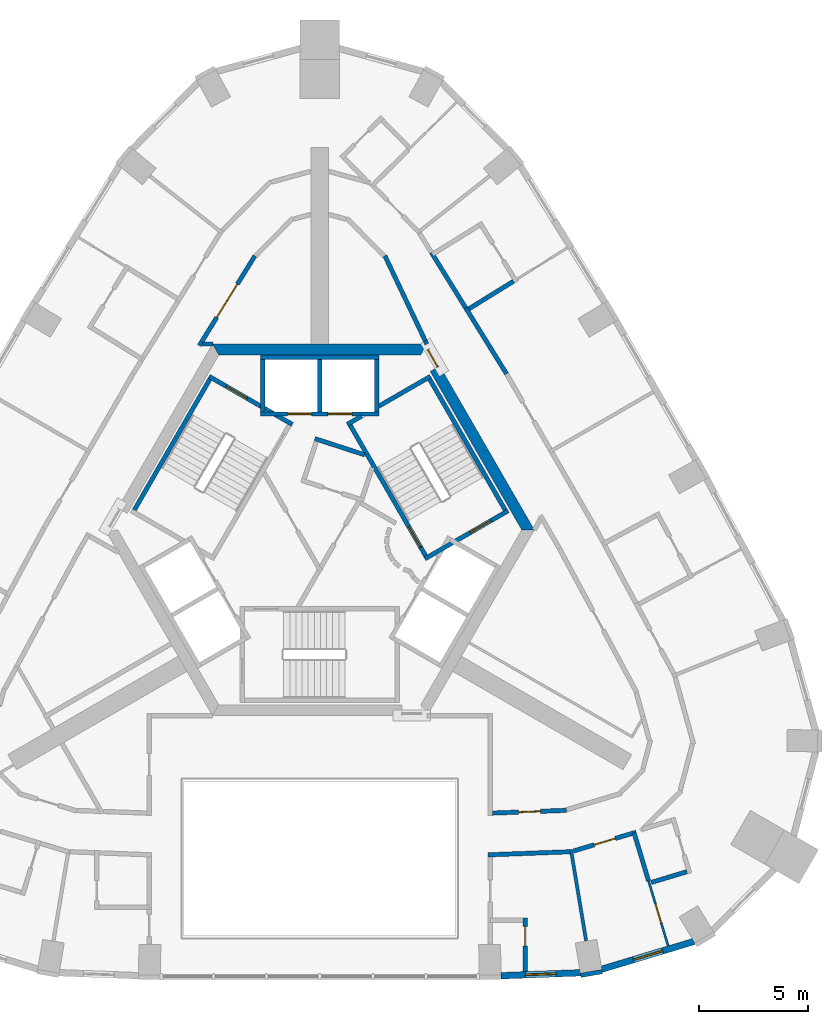
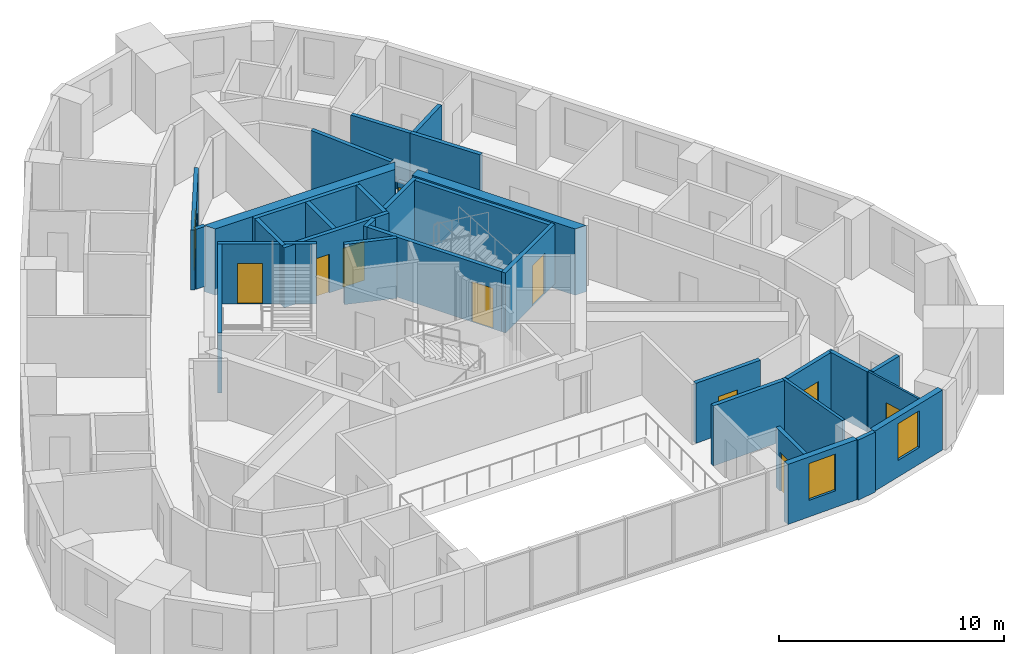
# One storey, part 6 of 10: 34 walls, 11 doors, 2 windows, 13 openings.
"""IFC4 building model written with IfcOpenShell, lengths in metres."""

from ifc_helpers import new_model, si_unit, direction, frame, frame_2d, origin, place, context, subcontext, project, spatial, polyline, rectangle, outline, extrude, material, layer, layer_set, type_object, element, fill, save


model = new_model("IFC4")

# Units and contexts
model_context = context("Model", 3, precision=1e-05, world=origin(), true_north=direction((0.0, 1.0)))
body_context = subcontext(model_context, "Body", "Model", "MODEL_VIEW")
ifc_project = project(units=[si_unit("LENGTHUNIT", "METRE"), si_unit("AREAUNIT", "SQUARE_METRE"), si_unit("VOLUMEUNIT", "CUBIC_METRE"), si_unit("PLANEANGLEUNIT", "RADIAN"), si_unit("MASSUNIT", "GRAM", prefix="KILO")], contexts=[model_context])

# Site, building, storey
site_placement = place(None, origin())
site = spatial("IfcSite", under=ifc_project, at=site_placement, CompositionType="ELEMENT")
building_placement = place(site_placement, origin())
building = spatial("IfcBuilding", under=site, at=building_placement, Name="Entoto Arch Interchange Tower", CompositionType="ELEMENT")
storey_placement = place(building_placement, frame((0.0, 0.0, 300.800048828125)))
storey = spatial("IfcBuildingStorey", under=building, at=storey_placement, Name="L70", CompositionType="ELEMENT", Elevation=300.800048828125)

# Wall, opening, door
ifc_material_1 = material(Name="Reinforced concrete C40/50", Category="concrete")
ifc_layer_1 = layer(ifc_material_1, 0.199951171875)
ifc_layer_set_1 = layer_set([ifc_layer_1], Name="Reinforced concrete C40/50")
wall_type_1 = type_object("IfcWallType", Name="CORE GAP INFILL WALL", PredefinedType="PARTITIONING", material=ifc_layer_set_1)
wall_1_placement = place(storey_placement, frame((5.39892578125, 9.947998046875, 0.0), z_axis=(0.0, 0.0, 1.0), x_axis=(-0.499882215713, 0.866093395895, 0.0)))
wall_1 = element("IfcWall", 1, at=wall_1_placement, inside=storey, type_object=wall_type_1, Name="wall:L70:gap2", PredefinedType="PARTITIONING", context=body_context, shape_type="SweptSolid", body=[
    extrude(rectangle(XDim=0.926025390625, YDim=0.199951171875, at=frame_2d((0.462890625, 0.0))), origin(), (0.0, 0.0, 1.0), 2.39990234375),
])
opening_1_placement = place(wall_1_placement, frame((0.01708984375, 0.0, 0.0)))
opening_1 = element("IfcOpeningElement", 2, at=opening_1_placement, cuts=wall_1, Name="Opening L70-D92", PredefinedType="OPENING", context=body_context, shape_type="SweptSolid", body=[
    extrude(rectangle(XDim=0.89990234375, YDim=2.10009765625, at=frame_2d((0.449951171875, 1.050048828125))), frame((0.0, 0.10986328125, 0.0), z_axis=(0.0, -1.0, 0.0), x_axis=(1.0, 0.0, 0.0)), (0.0, 0.0, 1.0), 0.219970703125),
])
ifc_material_2 = material(Name="Fire-rated Steel S235 door and frame", Category="steel")
door_type_1 = type_object("IfcDoorType", Name="DOOR FD-09 900x2100", OperationType="SINGLE_SWING_LEFT", PredefinedType="DOOR", material=ifc_material_2)
door_1_placement = place(opening_1_placement, origin())
door_1 = element("IfcDoor", 3, at=door_1_placement, inside=storey, type_object=door_type_1, Name="door:L70:gap2", OperationType="SINGLE_SWING_LEFT", OverallHeight=2.10009765625, OverallWidth=0.89990234375, PredefinedType="DOOR", context=body_context, shape_type="SweptSolid", body=[
    extrude(rectangle(XDim=0.89990234375, YDim=2.10009765625, at=frame_2d((0.449951171875, 1.050048828125))), frame((0.0, 0.02490234375, 0.0), z_axis=(0.0, -1.0, 0.0), x_axis=(1.0, 0.0, 0.0)), (0.0, 0.0, 1.0), 0.050048828125),
])
fill(opening_1, door_1)

# Walls
ifc_material_3 = material(Name="Concrete C40/50", Category="concrete")
ifc_layer_2 = layer(ifc_material_3, 0.5)
ifc_layer_set_2 = layer_set([ifc_layer_2], Name="Concrete C40/50")
wall_type_2 = type_object("IfcWallType", Name="Core wall 500 C40/50", PredefinedType="SHEAR", material=ifc_layer_set_2)
wall_2_placement = place(storey_placement, frame((0.0, 0.0, -0.340087890625)))
element("IfcWall", 4, at=wall_2_placement, inside=storey, type_object=wall_type_2, Name="Core wall NE L70", PredefinedType="SHEAR", context=body_context, shape_type="SweptSolid", body=[
    extrude(outline(polyline([(5.486083984375, 9.998046875), (5.052978515625, 9.748046875), (9.238037109375, 2.5), (9.81494140625, 2.5), (5.486083984375, 9.998046875)])), origin(), (0.0, 0.0, 1.0), 3.60009765625),
])
wall_3_placement = place(storey_placement, frame((0.0, 0.0, -0.340087890625)))
element("IfcWall", 5, at=wall_3_placement, inside=storey, type_object=wall_type_2, Name="Core wall N L70", PredefinedType="SHEAR", context=body_context, shape_type="SweptSolid", body=[
    extrude(outline(polyline([(4.906982421875, 11.0), (-4.906982421875, 11.0), (-4.618896484375, 10.5), (4.618896484375, 10.5), (4.906982421875, 11.0)])), origin(), (0.0, 0.0, 1.0), 3.60009765625),
])

# Wall, openings, doors
ifc_layer_3 = layer(ifc_material_3, 0.199951171875)
ifc_layer_set_3 = layer_set([ifc_layer_3], Name="Concrete C40/50")
wall_type_3 = type_object("IfcWallType", Name="LIFT SHAFT WALL 200", PredefinedType="STANDARD", material=ifc_layer_set_3)
wall_4_placement = place(storey_placement, frame((2.699951171875, 7.800048828125, 0.0), z_axis=(0.0, 0.0, 1.0), x_axis=(-1.0, 0.0, 0.0)))
wall_4 = element("IfcWall", 6, at=wall_4_placement, inside=storey, type_object=wall_type_3, Name="Shaft wall N1 front", PredefinedType="STANDARD", context=body_context, shape_type="SweptSolid", body=[
    extrude(rectangle(XDim=5.39990234375, YDim=0.199951171875, at=frame_2d((2.699951171875, 0.0))), origin(), (0.0, 0.0, 1.0), 3.260009765625),
])
opening_2_placement = place(wall_4_placement, frame((1.22509765625, 0.0, 0.0)))
opening_2 = element("IfcOpeningElement", 7, at=opening_2_placement, cuts=wall_4, Name="Opening LD-HR1-L70", PredefinedType="OPENING", context=body_context, shape_type="SweptSolid", body=[
    extrude(rectangle(XDim=1.10009765625, YDim=2.10009765625, at=frame_2d((0.550048828125, 1.050048828125))), frame((0.0, 0.10986328125, 0.0), z_axis=(0.0, -1.0, 0.0), x_axis=(1.0, 0.0, 0.0)), (0.0, 0.0, 1.0), 0.219970703125),
])
opening_3_placement = place(wall_4_placement, frame((3.074951171875, 0.0, 0.0)))
opening_3 = element("IfcOpeningElement", 8, at=opening_3_placement, cuts=wall_4, Name="Opening LD-HR2-L70", PredefinedType="OPENING", context=body_context, shape_type="SweptSolid", body=[
    extrude(rectangle(XDim=1.10009765625, YDim=2.10009765625, at=frame_2d((0.550048828125, 1.050048828125))), frame((0.0, 0.10986328125, 0.0), z_axis=(0.0, -1.0, 0.0), x_axis=(1.0, 0.0, 0.0)), (0.0, 0.0, 1.0), 0.219970703125),
])
ifc_material_4 = material(Name="Stainless steel 1.4301 panels", Category="steel")
door_type_2 = type_object("IfcDoorType", Name="LIFT LANDING DOOR LD1 1100x2100", OperationType="SLIDING_TO_LEFT", PredefinedType="DOOR", material=ifc_material_4)
door_2_placement = place(opening_2_placement, origin())
door_2 = element("IfcDoor", 9, at=door_2_placement, inside=storey, type_object=door_type_2, Name="Lift landing door HR1 L70", OperationType="SLIDING_TO_LEFT", OverallHeight=2.10009765625, OverallWidth=1.10009765625, PredefinedType="DOOR", context=body_context, shape_type="SweptSolid", body=[
    extrude(rectangle(XDim=1.10009765625, YDim=2.10009765625, at=frame_2d((0.550048828125, 1.050048828125))), frame((0.0, 0.02490234375, 0.0), z_axis=(0.0, -1.0, 0.0), x_axis=(1.0, 0.0, 0.0)), (0.0, 0.0, 1.0), 0.050048828125),
])
fill(opening_2, door_2)
door_3_placement = place(opening_3_placement, origin())
door_3 = element("IfcDoor", 10, at=door_3_placement, inside=storey, type_object=door_type_2, Name="Lift landing door HR2 L70", OperationType="SLIDING_TO_LEFT", OverallHeight=2.10009765625, OverallWidth=1.10009765625, PredefinedType="DOOR", context=body_context, shape_type="SweptSolid", body=[
    extrude(rectangle(XDim=1.10009765625, YDim=2.10009765625, at=frame_2d((0.550048828125, 1.050048828125))), frame((0.0, 0.02490234375, 0.0), z_axis=(0.0, -1.0, 0.0), x_axis=(1.0, 0.0, 0.0)), (0.0, 0.0, 1.0), 0.050048828125),
])
fill(opening_3, door_3)

# Walls
wall_5_placement = place(storey_placement, frame((2.699951171875, 10.39990234375, 0.0), z_axis=(0.0, 0.0, 1.0), x_axis=(-1.0, 0.0, 0.0)))
element("IfcWall", 11, at=wall_5_placement, inside=storey, type_object=wall_type_3, Name="Shaft wall N1 back", PredefinedType="STANDARD", context=body_context, shape_type="SweptSolid", body=[
    extrude(rectangle(XDim=5.39990234375, YDim=0.199951171875, at=frame_2d((2.699951171875, 0.0))), origin(), (0.0, 0.0, 1.0), 3.260009765625),
])
for number, where, z_axis, x_axis, name in (
    (12, (2.60009765625, 7.89990234375, 0.0), (0.0, 0.0, 1.0), (0.0, 1.0, 0.0), "Shaft wall N1 cross 1"),
    (13, (0.0, 7.89990234375, 0.0), (0.0, 0.0, 1.0), (0.0, 1.0, 0.0), "Shaft wall N1 cross 2"),
    (14, (-2.60009765625, 7.89990234375, 0.0), (0.0, 0.0, 1.0), (0.0, 1.0, 0.0), "Shaft wall N1 cross 3"),
):
    element("IfcWall", number, at=place(storey_placement, frame(where, z_axis=z_axis, x_axis=x_axis)), inside=storey, type_object=wall_type_3, Name=name, PredefinedType="STANDARD", context=body_context, shape_type="SweptSolid", body=[
        extrude(rectangle(XDim=2.400146484375, YDim=0.199951171875, at=frame_2d((1.2001953125, 0.0))), origin(), (0.0, 0.0, 1.0), 3.260009765625),
    ])

# Wall, opening, door
ifc_material_5 = material(Name="Gypsum board partition on steel studs", Category="steel")
ifc_layer_4 = layer(ifc_material_5, 0.10009765625)
ifc_layer_set_4 = layer_set([ifc_layer_4], Name="Gypsum board partition on steel studs")
wall_type_4 = type_object("IfcWallType", Name="PARTITION 100", PredefinedType="PARTITIONING", material=ifc_layer_set_4)
wall_6_placement = place(storey_placement, frame((15.0400390625, -13.55908203125, 0.0), z_axis=(0.0, 0.0, 1.0), x_axis=(0.288337370875, -0.957528882362, 0.0)))
wall_6 = element("IfcWall", 15, at=wall_6_placement, inside=storey, type_object=wall_type_4, Name="wall:L70:p093", PredefinedType="PARTITIONING", context=body_context, shape_type="SweptSolid", body=[
    extrude(rectangle(XDim=3.1005859375, YDim=0.10009765625, at=frame_2d((1.55029296875, 0.0))), origin(), (0.0, 0.0, 1.0), 3.260009765625),
])
opening_4_placement = place(wall_6_placement, frame((1.10009765625, 0.0, 0.0)))
opening_4 = element("IfcOpeningElement", 16, at=opening_4_placement, cuts=wall_6, Name="Opening L70-D04", PredefinedType="OPENING", context=body_context, shape_type="SweptSolid", body=[
    extrude(rectangle(XDim=0.89990234375, YDim=2.10009765625, at=frame_2d((0.449951171875, 1.050048828125))), frame((0.0, 0.06005859375, 0.0), z_axis=(0.0, -1.0, 0.0), x_axis=(1.0, 0.0, 0.0)), (0.0, 0.0, 1.0), 0.1201171875),
])
ifc_material_6 = material(Name="Timber door leaf in Steel S235 frame", Category="steel")
door_type_3 = type_object("IfcDoorType", Name="DOOR DS-09 900x2100", OperationType="SINGLE_SWING_LEFT", PredefinedType="DOOR", material=ifc_material_6)
door_4_placement = place(opening_4_placement, origin())
door_4 = element("IfcDoor", 17, at=door_4_placement, inside=storey, type_object=door_type_3, Name="door:L70:04", OperationType="SINGLE_SWING_LEFT", OverallHeight=2.10009765625, OverallWidth=0.89990234375, PredefinedType="DOOR", context=body_context, shape_type="SweptSolid", body=[
    extrude(rectangle(XDim=0.89990234375, YDim=2.10009765625, at=frame_2d((0.449951171875, 1.050048828125))), frame((0.0, 0.02490234375, 0.0), z_axis=(0.0, -1.0, 0.0), x_axis=(1.0, 0.0, 0.0)), (0.0, 0.0, 1.0), 0.050048828125),
])
fill(opening_4, door_4)

# Walls
ifc_layer_5 = layer(ifc_material_5, 0.14990234375)
ifc_layer_set_5 = layer_set([ifc_layer_5], Name="Gypsum board partition on steel studs")
wall_type_5 = type_object("IfcWallType", Name="PARTITION 150", PredefinedType="PARTITIONING", material=ifc_layer_set_5)
wall_7_placement = place(storey_placement, frame((11.488037109375, -12.123046875, 0.0), z_axis=(0.0, 0.0, 1.0), x_axis=(0.164174159643, -0.986431368776, 0.0)))
element("IfcWall", 18, at=wall_7_placement, inside=storey, type_object=wall_type_5, Name="wall:L70:p092", PredefinedType="PARTITIONING", context=body_context, shape_type="SweptSolid", body=[
    extrude(rectangle(XDim=4.226318359375, YDim=0.14990234375, at=frame_2d((2.11328125, 0.0))), origin(), (0.0, 0.0, 1.0), 3.260009765625),
])
ifc_layer_6 = layer(ifc_material_5, 0.199951171875)
ifc_layer_set_6 = layer_set([ifc_layer_6], Name="Gypsum board partition on steel studs")
wall_type_6 = type_object("IfcWallType", Name="PARTITION 200", PredefinedType="PARTITIONING", material=ifc_layer_set_6)
wall_8_placement = place(storey_placement, frame((2.06005859375, 5.930908203125, 0.0), z_axis=(0.0, 0.0, 1.0), x_axis=(-0.95092855133, 0.309410552932, 0.0)))
element("IfcWall", 19, at=wall_8_placement, inside=storey, type_object=wall_type_6, Name="wall:L70:p001", PredefinedType="PARTITIONING", context=body_context, shape_type="SweptSolid", body=[
    extrude(rectangle(XDim=2.398681640625, YDim=0.199951171875, at=frame_2d((1.19921875, 0.0))), origin(), (0.0, 0.0, 1.0), 3.260009765625),
])
wall_9_placement = place(storey_placement, frame((4.89599609375, 11.0, 0.0), z_axis=(0.0, 0.0, 1.0), x_axis=(-0.428451014387, 0.903565010539, 0.0)))
element("IfcWall", 20, at=wall_9_placement, inside=storey, type_object=wall_type_6, Name="wall:L70:p005", PredefinedType="PARTITIONING", context=body_context, shape_type="SweptSolid", body=[
    extrude(rectangle(XDim=0.172607421875, YDim=0.199951171875, at=frame_2d((0.08642578125, 0.0))), origin(), (0.0, 0.0, 1.0), 2.39990234375),
])

# Wall, opening, door
wall_10_placement = place(storey_placement, frame((-2.968994140625, 15.032958984375, 0.0), z_axis=(0.0, 0.0, 1.0), x_axis=(-0.526330241425, -0.85028023437, 0.0)))
wall_10 = element("IfcWall", 21, at=wall_10_placement, inside=storey, type_object=wall_type_6, Name="wall:L70:p010", PredefinedType="PARTITIONING", context=body_context, shape_type="SweptSolid", body=[
    extrude(rectangle(XDim=4.827880859375, YDim=0.199951171875, at=frame_2d((2.4140625, 0.0))), origin(), (0.0, 0.0, 1.0), 3.260009765625),
])
opening_5_placement = place(wall_10_placement, frame((1.513916015625, 0.0, 0.0)))
opening_5 = element("IfcOpeningElement", 22, at=opening_5_placement, cuts=wall_10, Name="Opening L70-D27", PredefinedType="OPENING", context=body_context, shape_type="SweptSolid", body=[
    extrude(rectangle(XDim=1.800048828125, YDim=2.10009765625, at=frame_2d((0.89990234375, 1.050048828125))), frame((0.0, 0.10986328125, 0.0), z_axis=(0.0, -1.0, 0.0), x_axis=(1.0, 0.0, 0.0)), (0.0, 0.0, 1.0), 0.219970703125),
])
door_type_4 = type_object("IfcDoorType", Name="DOOR DD-18 1800x2100", OperationType="DOUBLE_DOOR_SINGLE_SWING", PredefinedType="DOOR", material=ifc_material_6)
door_5_placement = place(opening_5_placement, origin())
door_5 = element("IfcDoor", 23, at=door_5_placement, inside=storey, type_object=door_type_4, Name="door:L70:27", OperationType="DOUBLE_DOOR_SINGLE_SWING", OverallHeight=2.10009765625, OverallWidth=1.800048828125, PredefinedType="DOOR", context=body_context, shape_type="SweptSolid", body=[
    extrude(rectangle(XDim=1.800048828125, YDim=2.10009765625, at=frame_2d((0.89990234375, 1.050048828125))), frame((0.0, 0.02490234375, 0.0), z_axis=(0.0, -1.0, 0.0), x_axis=(1.0, 0.0, 0.0)), (0.0, 0.0, 1.0), 0.050048828125),
])
fill(opening_5, door_5)

# Wall
wall_11_placement = place(storey_placement, frame((-5.363037109375, 11.0009765625, 0.0), z_axis=(0.0, 0.0, 1.0), x_axis=(1.0, 0.0, 0.0)))
element("IfcWall", 24, at=wall_11_placement, inside=storey, type_object=wall_type_6, Name="wall:L70:p011", PredefinedType="PARTITIONING", context=body_context, shape_type="SweptSolid", body=[
    extrude(rectangle(XDim=0.47314453125, YDim=0.199951171875, at=frame_2d((0.236572265625, 0.0))), origin(), (0.0, 0.0, 1.0), 3.260009765625),
])

# Wall, opening, door
wall_12_placement = place(storey_placement, frame((7.89990234375, -10.455078125, 0.0), z_axis=(0.0, 0.0, 1.0), x_axis=(0.999297278907, 0.037482640915, 0.0)))
wall_12 = element("IfcWall", 25, at=wall_12_placement, inside=storey, type_object=wall_type_6, Name="wall:L70:p012", PredefinedType="PARTITIONING", context=body_context, shape_type="SweptSolid", body=[
    extrude(rectangle(XDim=3.3935546875, YDim=0.199951171875, at=frame_2d((1.69677734375, 0.0))), origin(), (0.0, 0.0, 1.0), 3.260009765625),
])
opening_6_placement = place(wall_12_placement, frame((1.196044921875, 0.0, 0.0)))
opening_6 = element("IfcOpeningElement", 26, at=opening_6_placement, cuts=wall_12, Name="Opening L70-D25", PredefinedType="OPENING", context=body_context, shape_type="SweptSolid", body=[
    extrude(rectangle(XDim=1.0, YDim=2.10009765625, at=frame_2d((0.5, 1.050048828125))), frame((0.0, 0.10986328125, 0.0), z_axis=(0.0, -1.0, 0.0), x_axis=(1.0, 0.0, 0.0)), (0.0, 0.0, 1.0), 0.219970703125),
])
door_type_5 = type_object("IfcDoorType", Name="DOOR DS-10 1000x2100", OperationType="SINGLE_SWING_LEFT", PredefinedType="DOOR", material=ifc_material_6)
door_6_placement = place(opening_6_placement, origin())
door_6 = element("IfcDoor", 27, at=door_6_placement, inside=storey, type_object=door_type_5, Name="door:L70:25", OperationType="SINGLE_SWING_LEFT", OverallHeight=2.10009765625, OverallWidth=1.0, PredefinedType="DOOR", context=body_context, shape_type="SweptSolid", body=[
    extrude(rectangle(XDim=1.0, YDim=2.10009765625, at=frame_2d((0.5, 1.050048828125))), frame((0.0, 0.02490234375, 0.0), z_axis=(0.0, -1.0, 0.0), x_axis=(1.0, 0.0, 0.0)), (0.0, 0.0, 1.0), 0.050048828125),
])
fill(opening_6, door_6)

# Wall
wall_13_placement = place(storey_placement, frame((11.530029296875, -12.219970703125, 0.0), z_axis=(0.0, 0.0, 1.0), x_axis=(-0.999293554816, -0.037581794833, 0.0)))
element("IfcWall", 28, at=wall_13_placement, inside=storey, type_object=wall_type_6, Name="wall:L70:p031", PredefinedType="PARTITIONING", context=body_context, shape_type="SweptSolid", body=[
    extrude(rectangle(XDim=3.832763671875, YDim=0.199951171875, at=frame_2d((1.91650390625, 0.0))), origin(), (0.0, 0.0, 1.0), 3.260009765625),
])

# Wall, opening, door
wall_14_placement = place(storey_placement, frame((14.472900390625, -11.327880859375, 0.0), z_axis=(0.0, 0.0, 1.0), x_axis=(-0.957599689503, -0.288102125406, 0.0)))
wall_14 = element("IfcWall", 29, at=wall_14_placement, inside=storey, type_object=wall_type_6, Name="wall:L70:p032", PredefinedType="PARTITIONING", context=body_context, shape_type="SweptSolid", body=[
    extrude(rectangle(XDim=2.9990234375, YDim=0.199951171875, at=frame_2d((1.49951171875, 0.0))), origin(), (0.0, 0.0, 1.0), 3.260009765625),
])
opening_7_placement = place(wall_14_placement, frame((1.0, 0.0, 0.0)))
opening_7 = element("IfcOpeningElement", 30, at=opening_7_placement, cuts=wall_14, Name="Opening L70-D03", PredefinedType="OPENING", context=body_context, shape_type="SweptSolid", body=[
    extrude(rectangle(XDim=1.0, YDim=2.10009765625, at=frame_2d((0.5, 1.050048828125))), frame((0.0, 0.10986328125, 0.0), z_axis=(0.0, -1.0, 0.0), x_axis=(1.0, 0.0, 0.0)), (0.0, 0.0, 1.0), 0.219970703125),
])
door_type_6 = type_object("IfcDoorType", Name="DOOR FD-10 1000x2100", OperationType="SINGLE_SWING_LEFT", PredefinedType="DOOR", material=ifc_material_2)
door_7_placement = place(opening_7_placement, origin())
door_7 = element("IfcDoor", 31, at=door_7_placement, inside=storey, type_object=door_type_6, Name="door:L70:03", OperationType="SINGLE_SWING_LEFT", OverallHeight=2.10009765625, OverallWidth=1.0, PredefinedType="DOOR", context=body_context, shape_type="SweptSolid", body=[
    extrude(rectangle(XDim=1.0, YDim=2.10009765625, at=frame_2d((0.5, 1.050048828125))), frame((0.0, 0.02490234375, 0.0), z_axis=(0.0, -1.0, 0.0), x_axis=(1.0, 0.0, 0.0)), (0.0, 0.0, 1.0), 0.050048828125),
])
fill(opening_7, door_7)

# Walls
wall_15_placement = place(storey_placement, frame((6.68310546875, 12.64208984375, 0.0), z_axis=(0.0, 0.0, 1.0), x_axis=(0.526290465295, -0.850304854825, 0.0)))
element("IfcWall", 32, at=wall_15_placement, inside=storey, type_object=wall_type_6, Name="wall:L70:p040", PredefinedType="PARTITIONING", context=body_context, shape_type="SweptSolid", body=[
    extrude(rectangle(XDim=3.53759765625, YDim=0.199951171875, at=frame_2d((1.768798828125, 0.0))), origin(), (0.0, 0.0, 1.0), 3.260009765625),
])
wall_16_placement = place(storey_placement, frame((5.10400390625, 15.193115234375, 0.0), z_axis=(0.0, 0.0, 1.0), x_axis=(0.526329401671, -0.850280754184, 0.0)))
element("IfcWall", 33, at=wall_16_placement, inside=storey, type_object=wall_type_6, Name="wall:L70:p043", PredefinedType="PARTITIONING", context=body_context, shape_type="SweptSolid", body=[
    extrude(rectangle(XDim=3.000244140625, YDim=0.199951171875, at=frame_2d((1.5, 0.0))), origin(), (0.0, 0.0, 1.0), 3.260009765625),
])

# Wall, opening, door
wall_17_placement = place(storey_placement, frame((9.39990234375, -17.7041015625, 0.0), z_axis=(0.0, 0.0, 1.0), x_axis=(0.0, 1.0, 0.0)))
wall_17 = element("IfcWall", 34, at=wall_17_placement, inside=storey, type_object=wall_type_6, Name="wall:L70:p090", PredefinedType="PARTITIONING", context=body_context, shape_type="SweptSolid", body=[
    extrude(rectangle(XDim=2.440185546875, YDim=0.199951171875, at=frame_2d((1.22021484375, 0.0))), origin(), (0.0, 0.0, 1.0), 3.260009765625),
])
opening_8_placement = place(wall_17_placement, frame((1.172119140625, 0.0, 0.0)))
opening_8 = element("IfcOpeningElement", 35, at=opening_8_placement, cuts=wall_17, Name="Opening L70-D02", PredefinedType="OPENING", context=body_context, shape_type="SweptSolid", body=[
    extrude(rectangle(XDim=0.89990234375, YDim=2.10009765625, at=frame_2d((0.449951171875, 1.050048828125))), frame((0.0, 0.10986328125, 0.0), z_axis=(0.0, -1.0, 0.0), x_axis=(1.0, 0.0, 0.0)), (0.0, 0.0, 1.0), 0.219970703125),
])
door_8_placement = place(opening_8_placement, origin())
door_8 = element("IfcDoor", 36, at=door_8_placement, inside=storey, type_object=door_type_3, Name="door:L70:02", OperationType="SINGLE_SWING_RIGHT", OverallHeight=2.10009765625, OverallWidth=0.89990234375, PredefinedType="DOOR", context=body_context, shape_type="SweptSolid", body=[
    extrude(rectangle(XDim=0.89990234375, YDim=2.10009765625, at=frame_2d((0.449951171875, 1.050048828125))), frame((0.0, 0.02490234375, 0.0), z_axis=(0.0, -1.0, 0.0), x_axis=(1.0, 0.0, 0.0)), (0.0, 0.0, 1.0), 0.050048828125),
])
fill(opening_8, door_8)

# Walls
wall_18_placement = place(storey_placement, frame((14.3779296875, -11.35693359375, 0.0), z_axis=(0.0, 0.0, 1.0), x_axis=(0.287932252498, -0.957650780802, 0.0)))
element("IfcWall", 37, at=wall_18_placement, inside=storey, type_object=wall_type_6, Name="wall:L70:p094", PredefinedType="PARTITIONING", context=body_context, shape_type="SweptSolid", body=[
    extrude(rectangle(XDim=2.299560546875, YDim=0.199951171875, at=frame_2d((1.14990234375, 0.0))), origin(), (0.0, 0.0, 1.0), 3.260009765625),
])
wall_19_placement = place(storey_placement, frame((15.1650390625, -13.6259765625, 0.0), z_axis=(0.0, 0.0, 1.0), x_axis=(0.957565028189, 0.288217308275, 0.0)))
element("IfcWall", 38, at=wall_19_placement, inside=storey, type_object=wall_type_6, Name="wall:L70:p095", PredefinedType="PARTITIONING", context=body_context, shape_type="SweptSolid", body=[
    extrude(rectangle(XDim=1.699951171875, YDim=0.199951171875, at=frame_2d((0.85009765625, 0.0))), origin(), (0.0, 0.0, 1.0), 3.260009765625),
])
wall_20_placement = place(storey_placement, frame((6.821044921875, 12.610107421875, 0.0), z_axis=(0.0, 0.0, 1.0), x_axis=(0.850254303895, 0.526372129494, 0.0)))
element("IfcWall", 39, at=wall_20_placement, inside=storey, type_object=wall_type_6, Name="wall:L70:p105", PredefinedType="PARTITIONING", context=body_context, shape_type="SweptSolid", body=[
    extrude(rectangle(XDim=2.3994140625, YDim=0.199951171875, at=frame_2d((1.19970703125, 0.0))), origin(), (0.0, 0.0, 1.0), 3.260009765625),
])
wall_21_placement = place(storey_placement, frame((4.822021484375, 11.156005859375, 0.0), z_axis=(0.0, 0.0, 1.0), x_axis=(-0.429057973289, 0.903276953961, 0.0)))
element("IfcWall", 40, at=wall_21_placement, inside=storey, type_object=wall_type_6, Name="wall:L70:p005", PredefinedType="PARTITIONING", context=body_context, shape_type="SweptSolid", body=[
    extrude(rectangle(XDim=4.2978515625, YDim=0.199951171875, at=frame_2d((2.14892578125, 0.0))), origin(), (0.0, 0.0, 1.0), 3.260009765625),
])

# Wall, opening, door
ifc_layer_7 = layer(ifc_material_3, 0.199951171875)
ifc_layer_set_7 = layer_set([ifc_layer_7], Name="Concrete C40/50")
wall_type_7 = type_object("IfcWallType", Name="STAIR ENCLOSURE WALL 200", PredefinedType="STANDARD", material=ifc_layer_set_7)
wall_22_placement = place(storey_placement, frame((4.805908203125, 1.176025390625, 0.0), z_axis=(0.0, 0.0, 1.0), x_axis=(0.866059941101, 0.499940174841, 0.0)))
wall_22 = element("IfcWall", 41, at=wall_22_placement, inside=storey, type_object=wall_type_7, Name="Stair wall ST-NE near", PredefinedType="STANDARD", context=body_context, shape_type="SweptSolid", body=[
    extrude(rectangle(XDim=4.400390625, YDim=0.199951171875, at=frame_2d((2.2001953125, 0.0))), origin(), (0.0, 0.0, 1.0), 3.260009765625),
])
opening_9_placement = place(wall_22_placement, frame((2.39990234375, 0.0, 0.0)))
opening_9 = element("IfcOpeningElement", 42, at=opening_9_placement, cuts=wall_22, Name="Opening SD-ST-NE-L70-E", PredefinedType="OPENING", context=body_context, shape_type="SweptSolid", body=[
    extrude(rectangle(XDim=1.10009765625, YDim=2.199951171875, at=frame_2d((0.550048828125, 1.10009765625))), frame((0.0, 0.10986328125, 0.0), z_axis=(0.0, -1.0, 0.0), x_axis=(1.0, 0.0, 0.0)), (0.0, 0.0, 1.0), 0.219970703125),
])
ifc_material_7 = material(Name="Steel S235", Category="steel")
door_type_7 = type_object("IfcDoorType", Name="STAIR DOOR SD1 1100x2200", OperationType="SINGLE_SWING_LEFT", PredefinedType="DOOR", material=ifc_material_7)
door_9_placement = place(opening_9_placement, origin())
door_9 = element("IfcDoor", 43, at=door_9_placement, inside=storey, type_object=door_type_7, Name="Stair door ST-NE L70 end", OperationType="SINGLE_SWING_LEFT", OverallHeight=2.199951171875, OverallWidth=1.10009765625, PredefinedType="DOOR", context=body_context, shape_type="SweptSolid", body=[
    extrude(rectangle(XDim=1.10009765625, YDim=2.199951171875, at=frame_2d((0.550048828125, 1.10009765625))), frame((0.0, 0.02490234375, 0.0), z_axis=(0.0, -1.0, 0.0), x_axis=(1.0, 0.0, 0.0)), (0.0, 0.0, 1.0), 0.050048828125),
])
fill(opening_9, door_9)

# Walls
wall_23_placement = place(storey_placement, frame((2.699951171875, 8.157958984375, 0.0), z_axis=(0.0, 0.0, 1.0), x_axis=(0.86611865017, 0.499838457731, 0.0)))
element("IfcWall", 44, at=wall_23_placement, inside=storey, type_object=wall_type_7, Name="Stair wall ST-NE far", PredefinedType="STANDARD", context=body_context, shape_type="SweptSolid", body=[
    extrude(rectangle(XDim=2.73291015625, YDim=0.199951171875, at=frame_2d((1.366455078125, 0.0))), origin(), (0.0, 0.0, 1.0), 3.260009765625),
])
wall_24_placement = place(storey_placement, frame((1.256103515625, 7.323974609375, 0.0), z_axis=(0.0, 0.0, 1.0), x_axis=(0.865915093549, 0.500191014278, 0.0)))
element("IfcWall", 45, at=wall_24_placement, inside=storey, type_object=wall_type_7, Name="Stair wall ST-NE far return", PredefinedType="STANDARD", context=body_context, shape_type="SweptSolid", body=[
    extrude(rectangle(XDim=0.751708984375, YDim=0.199951171875, at=frame_2d((0.3759765625, 0.0))), origin(), (0.0, 0.0, 1.0), 3.260009765625),
])

# Wall, opening, door
wall_25_placement = place(storey_placement, frame((4.843017578125, 1.31201171875, 0.0), z_axis=(0.0, 0.0, 1.0), x_axis=(-0.499963383562, 0.866046543262, 0.0)))
wall_25 = element("IfcWall", 46, at=wall_25_placement, inside=storey, type_object=wall_type_7, Name="Stair wall ST-NE hall", PredefinedType="STANDARD", context=body_context, shape_type="SweptSolid", body=[
    extrude(rectangle(XDim=6.900390625, YDim=0.199951171875, at=frame_2d((3.4501953125, 0.0))), origin(), (0.0, 0.0, 1.0), 3.260009765625),
])
opening_10_placement = place(wall_25_placement, frame((0.449951171875, 0.0, 0.0)))
opening_10 = element("IfcOpeningElement", 47, at=opening_10_placement, cuts=wall_25, Name="Opening SD-ST-NE-L70", PredefinedType="OPENING", context=body_context, shape_type="SweptSolid", body=[
    extrude(rectangle(XDim=1.10009765625, YDim=2.199951171875, at=frame_2d((0.550048828125, 1.10009765625))), frame((0.0, 0.10986328125, 0.0), z_axis=(0.0, -1.0, 0.0), x_axis=(1.0, 0.0, 0.0)), (0.0, 0.0, 1.0), 0.219970703125),
])
door_10_placement = place(opening_10_placement, origin())
door_10 = element("IfcDoor", 48, at=door_10_placement, inside=storey, type_object=door_type_7, Name="Stair door ST-NE L70", OperationType="SINGLE_SWING_LEFT", OverallHeight=2.199951171875, OverallWidth=1.10009765625, PredefinedType="DOOR", context=body_context, shape_type="SweptSolid", body=[
    extrude(rectangle(XDim=1.10009765625, YDim=2.199951171875, at=frame_2d((0.550048828125, 1.10009765625))), frame((0.0, 0.02490234375, 0.0), z_axis=(0.0, -1.0, 0.0), x_axis=(1.0, 0.0, 0.0)), (0.0, 0.0, 1.0), 0.050048828125),
])
fill(opening_10, door_10)

# Wall
wall_26_placement = place(storey_placement, frame((8.47998046875, 3.412109375, 0.0), z_axis=(0.0, 0.0, 1.0), x_axis=(-0.499978703459, 0.866037698999, 0.0)))
element("IfcWall", 49, at=wall_26_placement, inside=storey, type_object=wall_type_7, Name="Stair wall ST-NE back", PredefinedType="STANDARD", context=body_context, shape_type="SweptSolid", body=[
    extrude(rectangle(XDim=6.900146484375, YDim=0.199951171875, at=frame_2d((3.4501953125, 0.0))), origin(), (0.0, 0.0, 1.0), 3.260009765625),
])

# Wall, opening, door
wall_27_placement = place(storey_placement, frame((-1.256103515625, 7.323974609375, 0.0), z_axis=(0.0, 0.0, 1.0), x_axis=(-0.866046073146, 0.499964197906, 0.0)))
wall_27 = element("IfcWall", 50, at=wall_27_placement, inside=storey, type_object=wall_type_7, Name="Stair wall ST-NW near", PredefinedType="STANDARD", context=body_context, shape_type="SweptSolid", body=[
    extrude(rectangle(XDim=4.400146484375, YDim=0.199951171875, at=frame_2d((2.2001953125, 0.0))), origin(), (0.0, 0.0, 1.0), 3.260009765625),
])
opening_11_placement = place(wall_27_placement, frame((2.39990234375, 0.0, 0.0)))
opening_11 = element("IfcOpeningElement", 51, at=opening_11_placement, cuts=wall_27, Name="Opening SD-ST-NW-L70-E", PredefinedType="OPENING", context=body_context, shape_type="SweptSolid", body=[
    extrude(rectangle(XDim=1.10009765625, YDim=2.199951171875, at=frame_2d((0.550048828125, 1.10009765625))), frame((0.0, 0.10986328125, 0.0), z_axis=(0.0, -1.0, 0.0), x_axis=(1.0, 0.0, 0.0)), (0.0, 0.0, 1.0), 0.219970703125),
])
door_11_placement = place(opening_11_placement, origin())
door_11 = element("IfcDoor", 52, at=door_11_placement, inside=storey, type_object=door_type_7, Name="Stair door ST-NW L70 end", OperationType="SINGLE_SWING_LEFT", OverallHeight=2.199951171875, OverallWidth=1.10009765625, PredefinedType="DOOR", context=body_context, shape_type="SweptSolid", body=[
    extrude(rectangle(XDim=1.10009765625, YDim=2.199951171875, at=frame_2d((0.550048828125, 1.10009765625))), frame((0.0, 0.02490234375, 0.0), z_axis=(0.0, -1.0, 0.0), x_axis=(1.0, 0.0, 0.0)), (0.0, 0.0, 1.0), 0.050048828125),
])
fill(opening_11, door_11)

# Wall
wall_28_placement = place(storey_placement, frame((-5.030029296875, 9.387939453125, 0.0), z_axis=(0.0, 0.0, 1.0), x_axis=(-0.499978703459, -0.866037698999, 0.0)))
element("IfcWall", 53, at=wall_28_placement, inside=storey, type_object=wall_type_7, Name="Stair wall ST-NW back", PredefinedType="STANDARD", context=body_context, shape_type="SweptSolid", body=[
    extrude(rectangle(XDim=6.900146484375, YDim=0.199951171875, at=frame_2d((3.4501953125, 0.0))), origin(), (0.0, 0.0, 1.0), 3.260009765625),
])

# Wall, opening, window
ifc_material_8 = material(Name="Welded tuff (ignimbrite) cladding, warm buff", Category="masonry")
ifc_layer_8 = layer(ifc_material_8, 0.300048828125)
ifc_layer_set_8 = layer_set([ifc_layer_8], Name="Welded tuff (ignimbrite) cladding, warm buff")
wall_type_8 = type_object("IfcWallType", Name="STONE INFILL WALL 300", PredefinedType="STANDARD", material=ifc_layer_set_8)
wall_29_placement = place(storey_placement, frame((8.2958984375, -17.89501953125, 0.0), z_axis=(0.0, 0.0, 1.0), x_axis=(0.999306787149, 0.037228284377, 0.0)))
wall_29 = element("IfcWall", 54, at=wall_29_placement, inside=storey, type_object=wall_type_8, Name="Facade wall S-03 L70", PredefinedType="STANDARD", context=body_context, shape_type="SweptSolid", body=[
    extrude(rectangle(XDim=3.62646484375, YDim=0.300048828125, at=frame_2d((1.813232421875, 0.0))), origin(), (0.0, 0.0, 1.0), 3.260009765625),
])
opening_12_placement = place(wall_29_placement, frame((1.113037109375, 0.0, 0.89990234375)))
opening_12 = element("IfcOpeningElement", 55, at=opening_12_placement, cuts=wall_29, Name="Opening WH-B", PredefinedType="OPENING", context=body_context, shape_type="SweptSolid", body=[
    extrude(rectangle(XDim=1.39990234375, YDim=2.0, at=frame_2d((0.699951171875, 1.0))), frame((0.0, 0.16015625, 0.0), z_axis=(0.0, -1.0, 0.0), x_axis=(1.0, 0.0, 0.0)), (0.0, 0.0, 1.0), 0.320068359375),
])
ifc_material_9 = material(Name="Clear glass, low-e double glazed", Category="glass")
window_type = type_object("IfcWindowType", Name="WINDOW WH-B 1400x2000", PartitioningType="DOUBLE_PANEL_VERTICAL", PredefinedType="WINDOW", material=ifc_material_9)
window_1_placement = place(opening_12_placement, origin())
window_1 = element("IfcWindow", 56, at=window_1_placement, inside=storey, type_object=window_type, Name="Window WH-B S-03 L70", OverallHeight=2.0, OverallWidth=1.39990234375, PartitioningType="SINGLE_PANEL", PredefinedType="WINDOW", context=body_context, shape_type="SweptSolid", body=[
    extrude(rectangle(XDim=1.39990234375, YDim=2.0, at=frame_2d((0.699951171875, 1.0))), frame((0.0, 0.030029296875, 0.0), z_axis=(0.0, -1.0, 0.0), x_axis=(1.0, 0.0, 0.0)), (0.0, 0.0, 1.0), 0.06005859375),
])
fill(opening_12, window_1)

wall_30_placement = place(storey_placement, frame((12.904052734375, -17.595947265625, 0.0), z_axis=(0.0, 0.0, 1.0), x_axis=(0.957563190743, 0.288223412884, 0.0)))
wall_30 = element("IfcWall", 57, at=wall_30_placement, inside=storey, type_object=wall_type_8, Name="Facade wall SE-01 L70", PredefinedType="STANDARD", context=body_context, shape_type="SweptSolid", body=[
    extrude(rectangle(XDim=4.399658203125, YDim=0.300048828125, at=frame_2d((2.19970703125, 0.0))), origin(), (0.0, 0.0, 1.0), 3.260009765625),
])
opening_13_placement = place(wall_30_placement, frame((1.5, 0.0, 0.89990234375)))
opening_13 = element("IfcOpeningElement", 58, at=opening_13_placement, cuts=wall_30, Name="Opening WH-B", PredefinedType="OPENING", context=body_context, shape_type="SweptSolid", body=[
    extrude(rectangle(XDim=1.39990234375, YDim=2.0, at=frame_2d((0.699951171875, 1.0))), frame((0.0, 0.16015625, 0.0), z_axis=(0.0, -1.0, 0.0), x_axis=(1.0, 0.0, 0.0)), (0.0, 0.0, 1.0), 0.320068359375),
])
window_2_placement = place(opening_13_placement, origin())
window_2 = element("IfcWindow", 59, at=window_2_placement, inside=storey, type_object=window_type, Name="Window WH-B SE-01 L70", OverallHeight=2.0, OverallWidth=1.39990234375, PartitioningType="SINGLE_PANEL", PredefinedType="WINDOW", context=body_context, shape_type="SweptSolid", body=[
    extrude(rectangle(XDim=1.39990234375, YDim=2.0, at=frame_2d((0.699951171875, 1.0))), frame((0.0, 0.030029296875, 0.0), z_axis=(0.0, -1.0, 0.0), x_axis=(1.0, 0.0, 0.0)), (0.0, 0.0, 1.0), 0.06005859375),
])
fill(opening_13, window_2)

# Wall
ifc_layer_9 = layer(ifc_material_8, 0.199951171875)
ifc_layer_set_9 = layer_set([ifc_layer_9], Name="Welded tuff (ignimbrite) cladding, warm buff")
wall_type_9 = type_object("IfcWallType", Name="STONE PIER CLADDING 200", PredefinedType="STANDARD", material=ifc_layer_set_9)
wall_31_placement = place(storey_placement, frame((11.93798828125, -17.875, 0.0), z_axis=(0.0, 0.0, 1.0), x_axis=(0.985800545746, 0.167920469293, 0.0)))
element("IfcWall", 60, at=wall_31_placement, inside=storey, type_object=wall_type_9, Name="Stone pier S04 L70", PredefinedType="STANDARD", context=body_context, shape_type="SweptSolid", body=[
    extrude(rectangle(XDim=1.000244140625, YDim=0.199951171875, at=frame_2d((0.5, 0.0))), origin(), (0.0, 0.0, 1.0), 3.260009765625),
])

save(model, "model.ifc")
